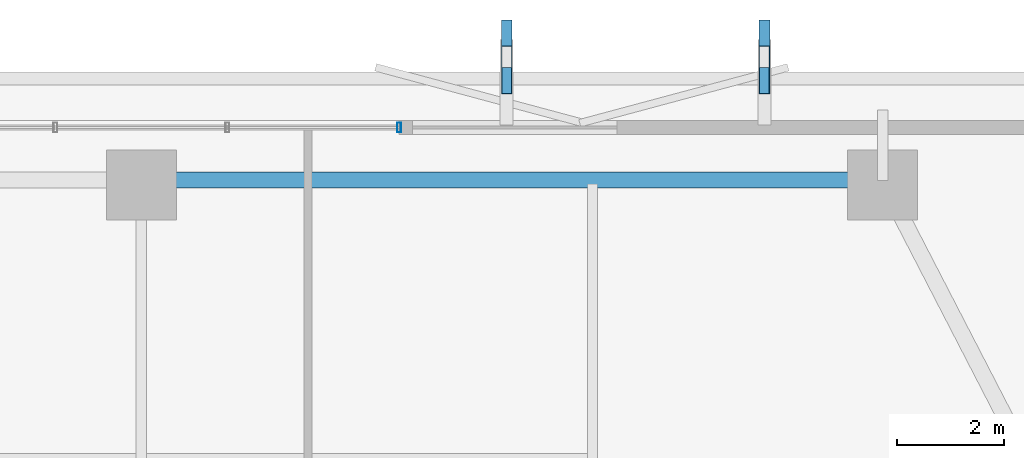
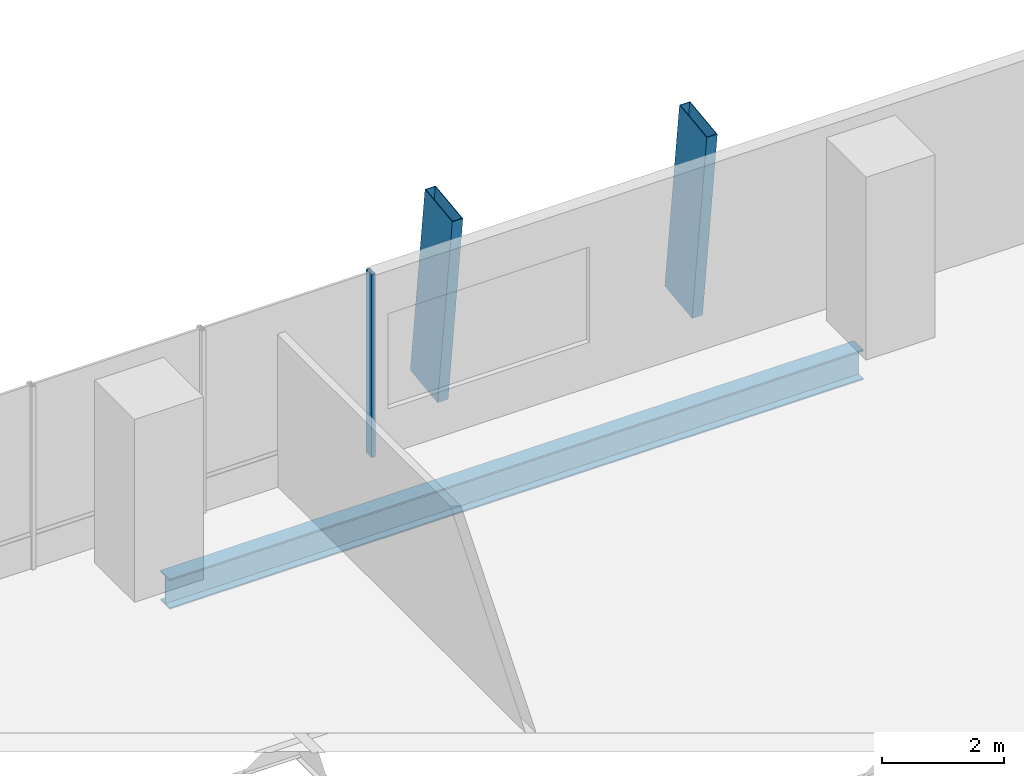
# One storey, part 27 of 34: 3 members, 1 beam, 1 element without a shape of its own.
"""IFC4 building model written with IfcOpenShell, lengths in metres."""

from ifc_helpers import new_model, si_unit, direction, frame, origin, origin_2d, place, context, subcontext, project, spatial, hollow_rectangle, i_section, extrude, material, layer, layer_set, material_profile, profile_set, type_object, element, aggregate, save


model = new_model("IFC4")

# Units and contexts
model_context = context("Model", 3, precision=1e-05, world=origin(), true_north=direction((0.0, 1.0)))
body_context = subcontext(model_context, "Body", "Model", "MODEL_VIEW")
ifc_project = project(units=[si_unit("LENGTHUNIT", "METRE"), si_unit("AREAUNIT", "SQUARE_METRE"), si_unit("VOLUMEUNIT", "CUBIC_METRE"), si_unit("PLANEANGLEUNIT", "RADIAN"), si_unit("MASSUNIT", "GRAM", prefix="KILO")], contexts=[model_context])

# Site, building, storey
site_placement = place(None, origin())
site = spatial("IfcSite", under=ifc_project, at=site_placement, CompositionType="ELEMENT")
building_placement = place(site_placement, origin())
building = spatial("IfcBuilding", under=site, at=building_placement, Name="Belovzor Exchange Tower", CompositionType="ELEMENT")
storey_placement = place(building_placement, frame((0.0, 0.0, 113.39990234375)))
storey = spatial("IfcBuildingStorey", under=building, at=storey_placement, Name="L27", CompositionType="ELEMENT", Elevation=113.39990234375)

# Members
ifc_material_1 = material(Name="Extruded Architectural Terracotta on Steel S355 Carrier", Category="masonry")
ifc_material_profile_1 = material_profile(ifc_material_1, hollow_rectangle(XDim=0.199951171875, YDim=0.89990234375, WallThickness=0.011962890625, at=origin_2d()))
ifc_profile_set_1 = profile_set([ifc_material_profile_1], Name="Extruded Architectural Terracotta on Steel S355 Carrier")
member_type_1 = type_object("IfcMemberType", Name="Sweeping Terracotta Baguette Fin Assembly 1250", PredefinedType="USERDEFINED", material=ifc_profile_set_1)
for number, where, z_axis, x_axis, name in (
    (1, (35.60009765625, 56.324951171875, -0.25), (0.0, -0.122880110894, 0.992421522513), (1.0, 0.0, 0.0), "FIN-TC125 Terracotta Facade Fin L27 N3"),
    (2, (40.39990234375, 56.324951171875, -0.25), (0.0, -0.122880110894, 0.992421522513), (1.0, 0.0, 0.0), "FIN-TC125 Terracotta Facade Fin L27 N4"),
):
    element("IfcMember", number, at=place(storey_placement, frame(where, z_axis=z_axis, x_axis=x_axis)), inside=storey, type_object=member_type_1, Name=name, ObjectType="FIN", PredefinedType="USERDEFINED", context=body_context, shape_type="SweptSolid", body=[
        extrude(hollow_rectangle(XDim=0.199951171875, YDim=0.89990234375, WallThickness=0.011962890625, at=origin_2d()), origin(), (0.0, 0.0, 1.0), 3.929931640625),
    ])

# Curtain wall, member
ifc_material_2 = material(Name="Anodised Aluminium Framing", Category="aluminium")
ifc_layer = layer(ifc_material_2, 0.179931640625)
ifc_layer_set = layer_set([ifc_layer], Name="Anodised Aluminium Framing")
curtain_wall_type = type_object("IfcCurtainWallType", Name="Recessed Loggia Low-Iron Triple-Glazed Curtain Wall", PredefinedType="NOTDEFINED", material=ifc_layer_set)
curtain_wall_placement = place(storey_placement, origin())
curtain_wall = element("IfcCurtainWall", 3, at=curtain_wall_placement, inside=storey, type_object=curtain_wall_type, Name="CW3 Recessed Loggia Low-Iron Triple-Glazed Curtain Wall L27", PredefinedType="NOTDEFINED")
ifc_material_3 = material(Name="Steel S355", Category="steel")
ifc_material_profile_2 = material_profile(ifc_material_3, hollow_rectangle(XDim=0.074951171875, YDim=0.179931640625, WallThickness=0.0048828125, at=origin_2d()))
ifc_profile_set_2 = profile_set([ifc_material_profile_2], Name="Steel S355")
member_type_2 = type_object("IfcMemberType", Name="Thermally Broken Curtain Wall Mullion 180x75", PredefinedType="MULLION", material=ifc_profile_set_2)
member_placement = place(storey_placement, frame((33.60009765625, 54.77001953125, 0.0), z_axis=(0.0, 0.0, 1.0), x_axis=(1.0, 0.0, 0.0)))
member = element("IfcMember", 4, at=member_placement, type_object=member_type_2, Name="CW-M180 Curtain Wall Mullion 4", PredefinedType="MULLION", context=body_context, shape_type="SweptSolid", body=[
    extrude(hollow_rectangle(XDim=0.074951171875, YDim=0.179931640625, WallThickness=0.0048828125, at=origin_2d()), origin(), (0.0, 0.0, 1.0), 3.650146484375),
])
aggregate(curtain_wall, [member])

# Beam
ifc_material_4 = material(Name="Steel S355", Category="steel")
ifc_material_profile_3 = material_profile(ifc_material_4, i_section(OverallWidth=0.300048828125, OverallDepth=0.60009765625, WebThickness=0.015380859375, FlangeThickness=0.030029296875, at=origin_2d()))
ifc_profile_set_3 = profile_set([ifc_material_profile_3], Name="Steel S355")
beam_type = type_object("IfcBeamType", Name="Zone 2 Primary Perimeter Girder HEB 600", PredefinedType="BEAM", material=ifc_profile_set_3)
beam_placement = place(storey_placement, frame((42.241943359375, 53.7919921875, -0.5498046875), z_axis=(-1.0, 0.0, 0.0), x_axis=(0.0, -1.0, 0.0)))
element("IfcBeam", 5, at=beam_placement, inside=storey, type_object=beam_type, Name="FG-Z2 Zone 2 Primary Perimeter Girder HEB 600", PredefinedType="BEAM", context=body_context, shape_type="SweptSolid", body=[
    extrude(i_section(OverallWidth=0.300048828125, OverallDepth=0.60009765625, WebThickness=0.015380859375, FlangeThickness=0.030029296875, at=origin_2d()), origin(), (0.0, 0.0, 1.0), 13.083984375),
])

save(model, "model.ifc")
